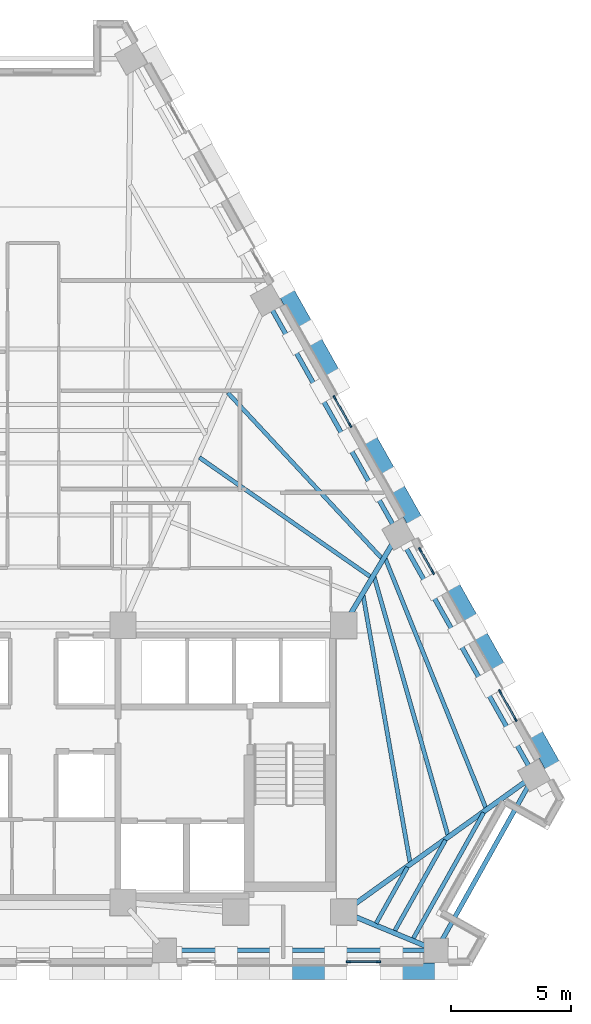
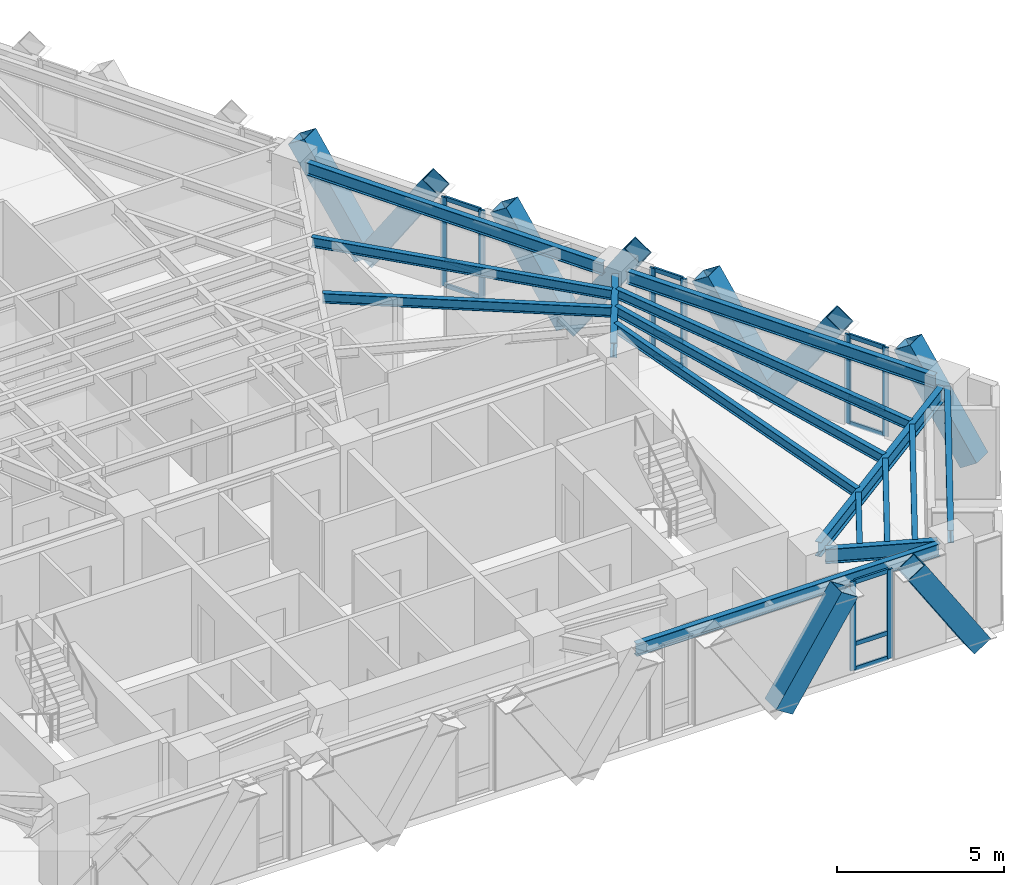
# One storey, part 4 of 14: 29 members, 15 beams, 4 elements without a shape of their own.
"""IFC4 building model written with IfcOpenShell, lengths in metres."""

from ifc_helpers import new_model, si_unit, direction, frame, origin, origin_2d, place, context, subcontext, project, spatial, rectangle, hollow_rectangle, i_section, extrude, material, material_profile, profile_set, type_object, element, aggregate, save


model = new_model("IFC4")

# Units and contexts
model_context = context("Model", 3, precision=1e-05, world=origin(), true_north=direction((0.0, 1.0)))
body_context = subcontext(model_context, "Body", "Model", "MODEL_VIEW")
ifc_project = project(units=[si_unit("LENGTHUNIT", "METRE"), si_unit("AREAUNIT", "SQUARE_METRE"), si_unit("VOLUMEUNIT", "CUBIC_METRE"), si_unit("PLANEANGLEUNIT", "RADIAN"), si_unit("MASSUNIT", "GRAM", prefix="KILO")], contexts=[model_context])

# Site, building, storey
site_placement = place(None, origin())
site = spatial("IfcSite", under=ifc_project, at=site_placement, CompositionType="ELEMENT")
building_placement = place(site_placement, origin())
building = spatial("IfcBuilding", under=site, at=building_placement, Name="Quenlor Broadcast Tower", CompositionType="ELEMENT")
storey_placement = place(building_placement, frame((0.0, 0.0, 140.5)))
storey = spatial("IfcBuildingStorey", under=building, at=storey_placement, Name="L38", CompositionType="ELEMENT", Elevation=140.5)

# Curtain wall, members
ifc_material_1 = material(Name="Architectural Terracotta and Low-E Glazing", Category="masonry")
curtain_wall_type = type_object("IfcCurtainWallType", Name="Unitised Terracotta Curtain Wall System Z3", PredefinedType="NOTDEFINED", material=ifc_material_1)
curtain_wall_1_placement = place(storey_placement, origin())
curtain_wall_1 = element("IfcCurtainWall", 1, at=curtain_wall_1_placement, inside=storey, type_object=curtain_wall_type, Name="L38 Curtain Wall CW3 (L38-SA-G1)", PredefinedType="NOTDEFINED")
ifc_material_2 = material(Name="Aluminium 6063-T6", Category="aluminium")
ifc_material_profile_1 = material_profile(ifc_material_2, rectangle(XDim=0.070068359375, YDim=0.18994140625, at=origin_2d()))
ifc_profile_set_1 = profile_set([ifc_material_profile_1], Name="Aluminium 6063-T6 MULL70x190")
member_type_1 = type_object("IfcMemberType", Name="CW3 Aluminium Mullion MULL_CW3", PredefinedType="MULLION", material=ifc_profile_set_1)
member_1_placement = place(storey_placement, frame((14.409912109375, -18.824951171875, 0.0), z_axis=(0.0, 0.0, 1.0), x_axis=(0.0, -1.0, 0.0)))
member_1 = element("IfcMember", 2, at=member_1_placement, type_object=member_type_1, Name="CW3 mullion 1", PredefinedType="MULLION", context=body_context, shape_type="SweptSolid", body=[
    extrude(rectangle(XDim=0.070068359375, YDim=0.18994140625, at=origin_2d()), origin(), (0.0, 0.0, 1.0), 3.25),
])
member_2_placement = place(storey_placement, frame((13.14208984375, -18.824951171875, 0.0), z_axis=(0.0, 0.0, 1.0), x_axis=(0.0, -1.0, 0.0)))
member_2 = element("IfcMember", 3, at=member_2_placement, type_object=member_type_1, Name="CW3 mullion 2", PredefinedType="MULLION", context=body_context, shape_type="SweptSolid", body=[
    extrude(rectangle(XDim=0.070068359375, YDim=0.18994140625, at=origin_2d()), origin(), (0.0, 0.0, 1.0), 3.25),
])

curtain_wall_2_placement = place(storey_placement, origin())
curtain_wall_2 = element("IfcCurtainWall", 4, at=curtain_wall_2_placement, inside=storey, type_object=curtain_wall_type, Name="L38 Curtain Wall CW3 (L38-NEC-G1)", PredefinedType="NOTDEFINED")
member_3_placement = place(storey_placement, frame((16.137939453125, -1.646728515625, 0.0), z_axis=(0.0, 0.0, 1.0), x_axis=(0.871580169247, 0.490253004657, 0.0)))
member_3 = element("IfcMember", 5, at=member_3_placement, type_object=member_type_1, Name="CW3 mullion 1", PredefinedType="MULLION", context=body_context, shape_type="SweptSolid", body=[
    extrude(rectangle(XDim=0.070068359375, YDim=0.18994140625, at=origin_2d()), origin(), (0.0, 0.0, 1.0), 3.25),
])
member_4_placement = place(storey_placement, frame((16.6689453125, -2.5908203125, 0.0), z_axis=(0.0, 0.0, 1.0), x_axis=(0.871580169247, 0.490253004657, 0.0)))
member_4 = element("IfcMember", 6, at=member_4_placement, type_object=member_type_1, Name="CW3 mullion 2", PredefinedType="MULLION", context=body_context, shape_type="SweptSolid", body=[
    extrude(rectangle(XDim=0.070068359375, YDim=0.18994140625, at=origin_2d()), origin(), (0.0, 0.0, 1.0), 3.25),
])

curtain_wall_3_placement = place(storey_placement, origin())
curtain_wall_3 = element("IfcCurtainWall", 7, at=curtain_wall_3_placement, inside=storey, type_object=curtain_wall_type, Name="L38 Curtain Wall CW3 (L38-NEC-G2)", PredefinedType="NOTDEFINED")
member_5_placement = place(storey_placement, frame((19.47021484375, -7.570556640625, 0.0), z_axis=(0.0, 0.0, 1.0), x_axis=(0.871575537123, 0.490261239636, 0.0)))
member_5 = element("IfcMember", 8, at=member_5_placement, type_object=member_type_1, Name="CW3 mullion 1", PredefinedType="MULLION", context=body_context, shape_type="SweptSolid", body=[
    extrude(rectangle(XDim=0.070068359375, YDim=0.18994140625, at=origin_2d()), origin(), (0.0, 0.0, 1.0), 3.25),
])
member_6_placement = place(storey_placement, frame((20.1171875, -8.720703125, 0.0), z_axis=(0.0, 0.0, 1.0), x_axis=(0.871575537123, 0.490261239636, 0.0)))
member_6 = element("IfcMember", 9, at=member_6_placement, type_object=member_type_1, Name="CW3 mullion 2", PredefinedType="MULLION", context=body_context, shape_type="SweptSolid", body=[
    extrude(rectangle(XDim=0.070068359375, YDim=0.18994140625, at=origin_2d()), origin(), (0.0, 0.0, 1.0), 3.25),
])

curtain_wall_4_placement = place(storey_placement, origin())
curtain_wall_4 = element("IfcCurtainWall", 10, at=curtain_wall_4_placement, inside=storey, type_object=curtain_wall_type, Name="L38 Curtain Wall CW3 (L38-NE-G1)", PredefinedType="NOTDEFINED")
member_7_placement = place(storey_placement, frame((12.573974609375, 4.689208984375, 0.0), z_axis=(0.0, 0.0, 1.0), x_axis=(0.871562085714, 0.490285152484, 0.0)))
member_7 = element("IfcMember", 11, at=member_7_placement, type_object=member_type_1, Name="CW3 mullion 1", PredefinedType="MULLION", context=body_context, shape_type="SweptSolid", body=[
    extrude(rectangle(XDim=0.070068359375, YDim=0.18994140625, at=origin_2d()), origin(), (0.0, 0.0, 1.0), 3.25),
])
member_8_placement = place(storey_placement, frame((13.220947265625, 3.5390625, 0.0), z_axis=(0.0, 0.0, 1.0), x_axis=(0.871562085714, 0.490285152484, 0.0)))
member_8 = element("IfcMember", 12, at=member_8_placement, type_object=member_type_1, Name="CW3 mullion 2", PredefinedType="MULLION", context=body_context, shape_type="SweptSolid", body=[
    extrude(rectangle(XDim=0.070068359375, YDim=0.18994140625, at=origin_2d()), origin(), (0.0, 0.0, 1.0), 3.25),
])

# Member
ifc_material_3 = material(Name="Aluminium 6063-T6", Category="aluminium")
ifc_material_profile_2 = material_profile(ifc_material_3, rectangle(XDim=0.070068359375, YDim=0.155029296875, at=origin_2d()))
ifc_profile_set_2 = profile_set([ifc_material_profile_2], Name="Aluminium 6063-T6 TRAN70x155")
member_type_2 = type_object("IfcMemberType", Name="CW3 Aluminium Transom TRAN_CW3", PredefinedType="USERDEFINED", material=ifc_profile_set_2)
member_9_placement = place(storey_placement, frame((14.375, -18.824951171875, 0.034912109375), z_axis=(-1.0, 0.0, 0.0), x_axis=(0.0, -1.0, 0.0)))
member_9 = element("IfcMember", 13, at=member_9_placement, type_object=member_type_2, Name="CW3 transom 1.1", ObjectType="TRANSOM", PredefinedType="USERDEFINED", context=body_context, shape_type="SweptSolid", body=[
    extrude(rectangle(XDim=0.070068359375, YDim=0.155029296875, at=origin_2d()), origin(), (0.0, 0.0, 1.0), 1.197998046875),
])

member_10_placement = place(storey_placement, frame((14.375, -18.824951171875, 0.949951171875), z_axis=(-1.0, 0.0, 0.0), x_axis=(0.0, -1.0, 0.0)))
member_10 = element("IfcMember", 14, at=member_10_placement, type_object=member_type_2, Name="CW3 transom 1.2", ObjectType="TRANSOM", PredefinedType="USERDEFINED", context=body_context, shape_type="SweptSolid", body=[
    extrude(rectangle(XDim=0.070068359375, YDim=0.155029296875, at=origin_2d()), origin(), (0.0, 0.0, 1.0), 1.197998046875),
])

member_11_placement = place(storey_placement, frame((14.375, -18.824951171875, 3.215087890625), z_axis=(-1.0, 0.0, 0.0), x_axis=(0.0, -1.0, 0.0)))
member_11 = element("IfcMember", 15, at=member_11_placement, type_object=member_type_2, Name="CW3 transom 1.3", ObjectType="TRANSOM", PredefinedType="USERDEFINED", context=body_context, shape_type="SweptSolid", body=[
    extrude(rectangle(XDim=0.070068359375, YDim=0.155029296875, at=origin_2d()), origin(), (0.0, 0.0, 1.0), 1.197998046875),
])

aggregate(curtain_wall_1, [member_1, member_2, member_9, member_10, member_11])

member_12_placement = place(storey_placement, frame((16.1552734375, -1.67724609375, 0.034912109375), z_axis=(0.49015826449, -0.871633452635, 0.0), x_axis=(0.871633452635, 0.49015826449, 0.0)))
member_12 = element("IfcMember", 16, at=member_12_placement, type_object=member_type_2, Name="CW3 transom 1.1", ObjectType="TRANSOM", PredefinedType="USERDEFINED", context=body_context, shape_type="SweptSolid", body=[
    extrude(rectangle(XDim=0.070068359375, YDim=0.155029296875, at=origin_2d()), origin(), (0.0, 0.0, 1.0), 1.01318359375),
])

member_13_placement = place(storey_placement, frame((16.1552734375, -1.67724609375, 0.949951171875), z_axis=(0.49015826449, -0.871633452635, 0.0), x_axis=(0.871633452635, 0.49015826449, 0.0)))
member_13 = element("IfcMember", 17, at=member_13_placement, type_object=member_type_2, Name="CW3 transom 1.2", ObjectType="TRANSOM", PredefinedType="USERDEFINED", context=body_context, shape_type="SweptSolid", body=[
    extrude(rectangle(XDim=0.070068359375, YDim=0.155029296875, at=origin_2d()), origin(), (0.0, 0.0, 1.0), 1.01318359375),
])

member_14_placement = place(storey_placement, frame((16.1552734375, -1.67724609375, 3.215087890625), z_axis=(0.49015826449, -0.871633452635, 0.0), x_axis=(0.871633452635, 0.49015826449, 0.0)))
member_14 = element("IfcMember", 18, at=member_14_placement, type_object=member_type_2, Name="CW3 transom 1.3", ObjectType="TRANSOM", PredefinedType="USERDEFINED", context=body_context, shape_type="SweptSolid", body=[
    extrude(rectangle(XDim=0.070068359375, YDim=0.155029296875, at=origin_2d()), origin(), (0.0, 0.0, 1.0), 1.01318359375),
])

aggregate(curtain_wall_2, [member_3, member_4, member_12, member_13, member_14])

member_15_placement = place(storey_placement, frame((19.4873046875, -7.60107421875, 0.034912109375), z_axis=(0.490363266059, -0.871518139398, 0.0), x_axis=(0.871518139398, 0.490363266059, 0.0)))
member_15 = element("IfcMember", 19, at=member_15_placement, type_object=member_type_2, Name="CW3 transom 1.1", ObjectType="TRANSOM", PredefinedType="USERDEFINED", context=body_context, shape_type="SweptSolid", body=[
    extrude(rectangle(XDim=0.070068359375, YDim=0.155029296875, at=origin_2d()), origin(), (0.0, 0.0, 1.0), 1.249755859375),
])

member_16_placement = place(storey_placement, frame((19.4873046875, -7.60107421875, 0.949951171875), z_axis=(0.490363266059, -0.871518139398, 0.0), x_axis=(0.871518139398, 0.490363266059, 0.0)))
member_16 = element("IfcMember", 20, at=member_16_placement, type_object=member_type_2, Name="CW3 transom 1.2", ObjectType="TRANSOM", PredefinedType="USERDEFINED", context=body_context, shape_type="SweptSolid", body=[
    extrude(rectangle(XDim=0.070068359375, YDim=0.155029296875, at=origin_2d()), origin(), (0.0, 0.0, 1.0), 1.249755859375),
])

member_17_placement = place(storey_placement, frame((19.4873046875, -7.60107421875, 3.215087890625), z_axis=(0.490363266059, -0.871518139398, 0.0), x_axis=(0.871518139398, 0.490363266059, 0.0)))
member_17 = element("IfcMember", 21, at=member_17_placement, type_object=member_type_2, Name="CW3 transom 1.3", ObjectType="TRANSOM", PredefinedType="USERDEFINED", context=body_context, shape_type="SweptSolid", body=[
    extrude(rectangle(XDim=0.070068359375, YDim=0.155029296875, at=origin_2d()), origin(), (0.0, 0.0, 1.0), 1.249755859375),
])

aggregate(curtain_wall_3, [member_5, member_6, member_15, member_16, member_17])

member_18_placement = place(storey_placement, frame((12.591064453125, 4.65869140625, 0.034912109375), z_axis=(0.490363266059, -0.871518139398, 0.0), x_axis=(0.871518139398, 0.490363266059, 0.0)))
member_18 = element("IfcMember", 22, at=member_18_placement, type_object=member_type_2, Name="CW3 transom 1.1", ObjectType="TRANSOM", PredefinedType="USERDEFINED", context=body_context, shape_type="SweptSolid", body=[
    extrude(rectangle(XDim=0.070068359375, YDim=0.155029296875, at=origin_2d()), origin(), (0.0, 0.0, 1.0), 1.249755859375),
])

member_19_placement = place(storey_placement, frame((12.591064453125, 4.65869140625, 0.949951171875), z_axis=(0.490363266059, -0.871518139398, 0.0), x_axis=(0.871518139398, 0.490363266059, 0.0)))
member_19 = element("IfcMember", 23, at=member_19_placement, type_object=member_type_2, Name="CW3 transom 1.2", ObjectType="TRANSOM", PredefinedType="USERDEFINED", context=body_context, shape_type="SweptSolid", body=[
    extrude(rectangle(XDim=0.070068359375, YDim=0.155029296875, at=origin_2d()), origin(), (0.0, 0.0, 1.0), 1.249755859375),
])

member_20_placement = place(storey_placement, frame((12.591064453125, 4.65869140625, 3.215087890625), z_axis=(0.490363266059, -0.871518139398, 0.0), x_axis=(0.871518139398, 0.490363266059, 0.0)))
member_20 = element("IfcMember", 24, at=member_20_placement, type_object=member_type_2, Name="CW3 transom 1.3", ObjectType="TRANSOM", PredefinedType="USERDEFINED", context=body_context, shape_type="SweptSolid", body=[
    extrude(rectangle(XDim=0.070068359375, YDim=0.155029296875, at=origin_2d()), origin(), (0.0, 0.0, 1.0), 1.249755859375),
])

aggregate(curtain_wall_4, [member_7, member_8, member_18, member_19, member_20])

# Members
ifc_material_4 = material(Name="Steel S355", Category="steel")
ifc_material_profile_3 = material_profile(ifc_material_4, hollow_rectangle(XDim=0.679931640625, YDim=0.679931640625, WallThickness=0.02490234375, at=origin_2d()))
ifc_profile_set_3 = profile_set([ifc_material_profile_3], Name="Steel S355 RHS680x680x25")
member_type_3 = type_object("IfcMemberType", Name="Perimeter Diagonal Lattice Brace Z3-Z4 Steel S355 RHS680x25", PredefinedType="BRACE", material=ifc_profile_set_3)
for number, where, z_axis, x_axis, name in (
    (25, (17.206298828125, -19.219970703125, -0.1201171875), (-0.543901560697, 0.0, 0.839149028643), (0.0, -1.0, 0.0), "L38 Perimeter Diamond Lattice S-C1S"),
    (26, (10.345703125, -19.219970703125, -0.1201171875), (0.543901560697, 0.0, 0.839149028643), (0.0, 1.0, 0.0), "L38 Perimeter Diamond Lattice S-C1B"),
):
    element("IfcMember", number, at=place(storey_placement, frame(where, z_axis=z_axis, x_axis=x_axis)), inside=storey, type_object=member_type_3, Name=name, PredefinedType="BRACE", context=body_context, shape_type="SweptSolid", body=[
        extrude(hollow_rectangle(XDim=0.679931640625, YDim=0.679931640625, WallThickness=0.02490234375, at=origin_2d()), origin(), (0.0, 0.0, 1.0), 4.1708984375),
    ])
for number, where, z_axis, x_axis, name in (
    (27, (11.5107421875, 7.385009765625, -0.1201171875), (-0.2705491942, 0.481008661973, 0.833926735766), (-0.871589611547, -0.490236217596, 0.0), "L38 Perimeter Diamond Lattice NE-C2B"),
    (28, (11.524658203125, 7.360595703125, -0.1201171875), (0.2705491942, -0.481008661973, 0.833926735766), (0.871589611547, 0.490236217596, 0.0), "L38 Perimeter Diamond Lattice NE-C3S"),
    (29, (14.958984375, 1.255126953125, -0.1201171875), (-0.2705491942, 0.481008661973, 0.833926735766), (-0.871589611547, -0.490236217596, 0.0), "L38 Perimeter Diamond Lattice NE-C3B"),
    (30, (14.97265625, 1.230712890625, -0.1201171875), (0.27060310517, -0.481001091283, 0.833913610428), (0.871544572467, 0.490316283845, 0.0), "L38 Perimeter Diamond Lattice NE-C4S"),
    (31, (18.406982421875, -4.874755859375, -0.1201171875), (-0.2705491942, 0.481008661973, 0.833926735766), (-0.871589611547, -0.490236217596, 0.0), "L38 Perimeter Diamond Lattice NE-C4B"),
    (32, (18.4208984375, -4.8994140625, -0.1201171875), (0.2705491942, -0.481008661973, 0.833926735766), (0.871589611547, 0.490236217596, 0.0), "L38 Perimeter Diamond Lattice NE-C5S"),
    (33, (21.85498046875, -11.004638671875, -0.1201171875), (-0.2705491942, 0.481008661973, 0.833926735766), (-0.871589611547, -0.490236217596, 0.0), "L38 Perimeter Diamond Lattice NE-C5B"),
):
    element("IfcMember", number, at=place(storey_placement, frame(where, z_axis=z_axis, x_axis=x_axis)), inside=storey, type_object=member_type_3, Name=name, PredefinedType="BRACE", context=body_context, shape_type="SweptSolid", body=[
        extrude(hollow_rectangle(XDim=0.679931640625, YDim=0.679931640625, WallThickness=0.02490234375, at=origin_2d()), origin(), (0.0, 0.0, 1.0), 4.197021484375),
    ])

# Beams
ifc_material_5 = material(Name="Steel S355", Category="steel")
ifc_material_profile_4 = material_profile(ifc_material_5, i_section(OverallWidth=0.19091796875, OverallDepth=0.46044921875, WebThickness=0.010009765625, FlangeThickness=0.01611328125, FilletRadius=0.011474609375, at=origin_2d()))
ifc_profile_set_4 = profile_set([ifc_material_profile_4], Name="Steel S355 460UB82.1")
beam_type_1 = type_object("IfcBeamType", Name="Perimeter Spandrel Beam Z3 Steel S355 460UB82.1", PredefinedType="SPANDREL", material=ifc_profile_set_4)
beam_1_placement = place(storey_placement, frame((5.89111328125, -18.35009765625, 3.019775390625), z_axis=(1.0, 0.0, 0.0), x_axis=(0.0, 1.0, 0.0)))
element("IfcBeam", 34, at=beam_1_placement, inside=storey, type_object=beam_type_1, Name="L38 Spandrel Beam S3-S4", PredefinedType="SPANDREL", context=body_context, shape_type="SweptSolid", body=[
    extrude(i_section(OverallWidth=0.19091796875, OverallDepth=0.46044921875, WebThickness=0.010009765625, FlangeThickness=0.01611328125, FilletRadius=0.011474609375, at=origin_2d()), origin(), (0.0, 0.0, 1.0), 10.50732421875),
])
beam_2_placement = place(storey_placement, frame((17.008544921875, -17.9921875, 3.019775390625), z_axis=(0.488298439934, 0.872676706208, 0.0), x_axis=(-0.872676706208, 0.488298439934, 0.0)))
element("IfcBeam", 35, at=beam_2_placement, inside=storey, type_object=beam_type_1, Name="L38 Spandrel Beam S4-NE1", PredefinedType="SPANDREL", context=body_context, shape_type="SweptSolid", body=[
    extrude(i_section(OverallWidth=0.19091796875, OverallDepth=0.46044921875, WebThickness=0.010009765625, FlangeThickness=0.01611328125, FilletRadius=0.011474609375, at=origin_2d()), origin(), (0.0, 0.0, 1.0), 7.5341796875),
])
beam_3_placement = place(storey_placement, frame((20.686767578125, -10.7021484375, 3.019775390625), z_axis=(-0.490257999604, 0.871577359633, 0.0), x_axis=(-0.871577359633, -0.490257999604, 0.0)))
element("IfcBeam", 36, at=beam_3_placement, inside=storey, type_object=beam_type_1, Name="L38 Spandrel Beam NE1-NE2", PredefinedType="SPANDREL", context=body_context, shape_type="SweptSolid", body=[
    extrude(i_section(OverallWidth=0.19091796875, OverallDepth=0.46044921875, WebThickness=0.010009765625, FlangeThickness=0.01611328125, FilletRadius=0.011474609375, at=origin_2d()), origin(), (0.0, 0.0, 1.0), 10.732666015625),
])
beam_4_placement = place(storey_placement, frame((15.02294921875, -0.63330078125, 3.019775390625), z_axis=(-0.490252288562, 0.871580572041, 0.0), x_axis=(-0.871580572041, -0.490252288562, 0.0)))
element("IfcBeam", 37, at=beam_4_placement, inside=storey, type_object=beam_type_1, Name="L38 Spandrel Beam NE2-NE3", PredefinedType="SPANDREL", context=body_context, shape_type="SweptSolid", body=[
    extrude(i_section(OverallWidth=0.19091796875, OverallDepth=0.46044921875, WebThickness=0.010009765625, FlangeThickness=0.01611328125, FilletRadius=0.011474609375, at=origin_2d()), origin(), (0.0, 0.0, 1.0), 10.359619140625),
])
ifc_material_6 = material(Name="Steel S355", Category="steel")
ifc_material_profile_5 = material_profile(ifc_material_6, i_section(OverallWidth=0.172119140625, OverallDepth=0.358642578125, WebThickness=0.008056640625, FlangeThickness=0.012939453125, FilletRadius=0.011474609375, at=origin_2d()))
ifc_profile_set_5 = profile_set([ifc_material_profile_5], Name="Steel S355 360UB56.7")
beam_type_2 = type_object("IfcBeamType", Name="Tower Composite Joist Z2-Z3 Steel S355 360UB56.7", PredefinedType="JOIST", material=ifc_profile_set_5)
beam_5_placement = place(storey_placement, frame((14.06689453125, -2.7734375, 3.07080078125), z_axis=(-0.82026568394, 0.57198269882, 0.0), x_axis=(-0.57198269882, -0.82026568394, 0.0)))
element("IfcBeam", 38, at=beam_5_placement, inside=storey, type_object=beam_type_2, Name="L38 Secondary Composite Joist 11", PredefinedType="JOIST", context=body_context, shape_type="SweptSolid", body=[
    extrude(i_section(OverallWidth=0.172119140625, OverallDepth=0.358642578125, WebThickness=0.008056640625, FlangeThickness=0.012939453125, FilletRadius=0.011474609375, at=origin_2d()), origin(), (0.0, 0.0, 1.0), 8.698486328125),
])
beam_6_placement = place(storey_placement, frame((14.53271484375, -1.998779296875, 3.07080078125), z_axis=(-0.680873505991, 0.732401030065, 0.0), x_axis=(-0.732401030065, -0.680873505991, 0.0)))
element("IfcBeam", 39, at=beam_6_placement, inside=storey, type_object=beam_type_2, Name="L38 Secondary Composite Joist 12", PredefinedType="JOIST", context=body_context, shape_type="SweptSolid", body=[
    extrude(i_section(OverallWidth=0.172119140625, OverallDepth=0.358642578125, WebThickness=0.008056640625, FlangeThickness=0.012939453125, FilletRadius=0.011474609375, at=origin_2d()), origin(), (0.0, 0.0, 1.0), 9.419189453125),
])
beam_7_placement = place(storey_placement, frame((15.71435546875, -14.679443359375, 3.07080078125), z_axis=(-0.172906811417, 0.984938188195, 0.0), x_axis=(-0.984938188195, -0.172906811417, 0.0)))
element("IfcBeam", 40, at=beam_7_placement, inside=storey, type_object=beam_type_2, Name="L38 Secondary Composite Joist 16", PredefinedType="JOIST", context=body_context, shape_type="SweptSolid", body=[
    extrude(i_section(OverallWidth=0.172119140625, OverallDepth=0.358642578125, WebThickness=0.008056640625, FlangeThickness=0.012939453125, FilletRadius=0.011474609375, at=origin_2d()), origin(), (0.0, 0.0, 1.0), 11.30419921875),
])
beam_8_placement = place(storey_placement, frame((17.293701171875, -13.543212890625, 3.07080078125), z_axis=(-0.274418577045, 0.961610339261, 0.0), x_axis=(-0.961610339261, -0.274418577045, 0.0)))
element("IfcBeam", 41, at=beam_8_placement, inside=storey, type_object=beam_type_2, Name="L38 Secondary Composite Joist 17", PredefinedType="JOIST", context=body_context, shape_type="SweptSolid", body=[
    extrude(i_section(OverallWidth=0.172119140625, OverallDepth=0.358642578125, WebThickness=0.008056640625, FlangeThickness=0.012939453125, FilletRadius=0.011474609375, at=origin_2d()), origin(), (0.0, 0.0, 1.0), 11.191162109375),
])
beam_9_placement = place(storey_placement, frame((18.873291015625, -12.407958984375, 3.07080078125), z_axis=(-0.373824118901, 0.927499610851, 0.0), x_axis=(-0.927499610851, -0.373824118901, 0.0)))
element("IfcBeam", 42, at=beam_9_placement, inside=storey, type_object=beam_type_2, Name="L38 Secondary Composite Joist 18", PredefinedType="JOIST", context=body_context, shape_type="SweptSolid", body=[
    extrude(i_section(OverallWidth=0.172119140625, OverallDepth=0.358642578125, WebThickness=0.008056640625, FlangeThickness=0.012939453125, FilletRadius=0.011474609375, at=origin_2d()), origin(), (0.0, 0.0, 1.0), 11.203125),
])
beam_10_placement = place(storey_placement, frame((14.30078125, -17.22412109375, 3.07080078125), z_axis=(0.488370382241, 0.87263644764, 0.0), x_axis=(-0.87263644764, 0.488370382241, 0.0)))
element("IfcBeam", 43, at=beam_10_placement, inside=storey, type_object=beam_type_2, Name="L38 Secondary Composite Joist 22", PredefinedType="JOIST", context=body_context, shape_type="SweptSolid", body=[
    extrude(i_section(OverallWidth=0.172119140625, OverallDepth=0.358642578125, WebThickness=0.008056640625, FlangeThickness=0.012939453125, FilletRadius=0.011474609375, at=origin_2d()), origin(), (0.0, 0.0, 1.0), 2.680419921875),
])
beam_11_placement = place(storey_placement, frame((15.072509765625, -17.544189453125, 3.07080078125), z_axis=(0.488294103756, 0.872679132463, 0.0), x_axis=(-0.872679132463, 0.488294103756, 0.0)))
element("IfcBeam", 44, at=beam_11_placement, inside=storey, type_object=beam_type_2, Name="L38 Secondary Composite Joist 23", PredefinedType="JOIST", context=body_context, shape_type="SweptSolid", body=[
    extrude(i_section(OverallWidth=0.172119140625, OverallDepth=0.358642578125, WebThickness=0.008056640625, FlangeThickness=0.012939453125, FilletRadius=0.011474609375, at=origin_2d()), origin(), (0.0, 0.0, 1.0), 4.351318359375),
])
beam_12_placement = place(storey_placement, frame((15.84423828125, -17.8642578125, 3.07080078125), z_axis=(0.488308300212, 0.872671188905, 0.0), x_axis=(-0.872671188905, 0.488308300212, 0.0)))
element("IfcBeam", 45, at=beam_12_placement, inside=storey, type_object=beam_type_2, Name="L38 Secondary Composite Joist 24", PredefinedType="JOIST", context=body_context, shape_type="SweptSolid", body=[
    extrude(i_section(OverallWidth=0.172119140625, OverallDepth=0.358642578125, WebThickness=0.008056640625, FlangeThickness=0.012939453125, FilletRadius=0.011474609375, at=origin_2d()), origin(), (0.0, 0.0, 1.0), 6.022216796875),
])
ifc_material_7 = material(Name="Steel S355", Category="steel")
ifc_material_profile_6 = material_profile(ifc_material_7, i_section(OverallWidth=0.208984375, OverallDepth=0.532958984375, WebThickness=0.01025390625, FlangeThickness=0.015625, FilletRadius=0.013916015625, at=origin_2d()))
ifc_profile_set_6 = profile_set([ifc_material_profile_6], Name="Steel S355 530UB92.4")
beam_type_3 = type_object("IfcBeamType", Name="Tower Primary Floor Beam Z3 Steel S355 530UB92.4", PredefinedType="BEAM", material=ifc_profile_set_6)
beam_13_placement = place(storey_placement, frame((16.4296875, -18.19287109375, 2.9833984375), z_axis=(-0.923730294618, 0.383043525993, 0.0), x_axis=(-0.383043525993, -0.923730294618, 0.0)))
element("IfcBeam", 46, at=beam_13_placement, inside=storey, type_object=beam_type_3, Name="L38 Primary Radial Beam S4", PredefinedType="BEAM", context=body_context, shape_type="SweptSolid", body=[
    extrude(i_section(OverallWidth=0.208984375, OverallDepth=0.532958984375, WebThickness=0.01025390625, FlangeThickness=0.015625, FilletRadius=0.013916015625, at=origin_2d()), origin(), (0.0, 0.0, 1.0), 3.386962890625),
])
beam_14_placement = place(storey_placement, frame((20.554443359375, -11.29833984375, 2.9833984375), z_axis=(-0.812728908832, -0.582642017666, 0.0), x_axis=(0.582642017666, -0.812728908832, 0.0)))
element("IfcBeam", 47, at=beam_14_placement, inside=storey, type_object=beam_type_3, Name="L38 Primary Radial Beam NE1", PredefinedType="BEAM", context=body_context, shape_type="SweptSolid", body=[
    extrude(i_section(OverallWidth=0.208984375, OverallDepth=0.532958984375, WebThickness=0.01025390625, FlangeThickness=0.015625, FilletRadius=0.013916015625, at=origin_2d()), origin(), (0.0, 0.0, 1.0), 8.976806640625),
])
beam_15_placement = place(storey_placement, frame((15.013916015625, -1.3427734375, 2.9833984375), z_axis=(-0.512604023694, -0.858625130597, 0.0), x_axis=(0.858625130597, -0.512604023694, 0.0)))
element("IfcBeam", 48, at=beam_15_placement, inside=storey, type_object=beam_type_3, Name="L38 Primary Radial Beam NE2", PredefinedType="BEAM", context=body_context, shape_type="SweptSolid", body=[
    extrude(i_section(OverallWidth=0.208984375, OverallDepth=0.532958984375, WebThickness=0.01025390625, FlangeThickness=0.015625, FilletRadius=0.013916015625, at=origin_2d()), origin(), (0.0, 0.0, 1.0), 3.646484375),
])

save(model, "model.ifc")
